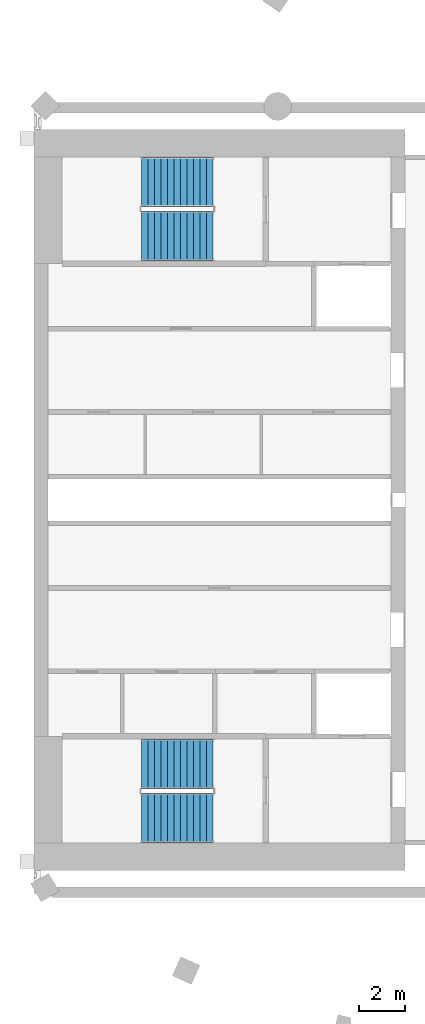
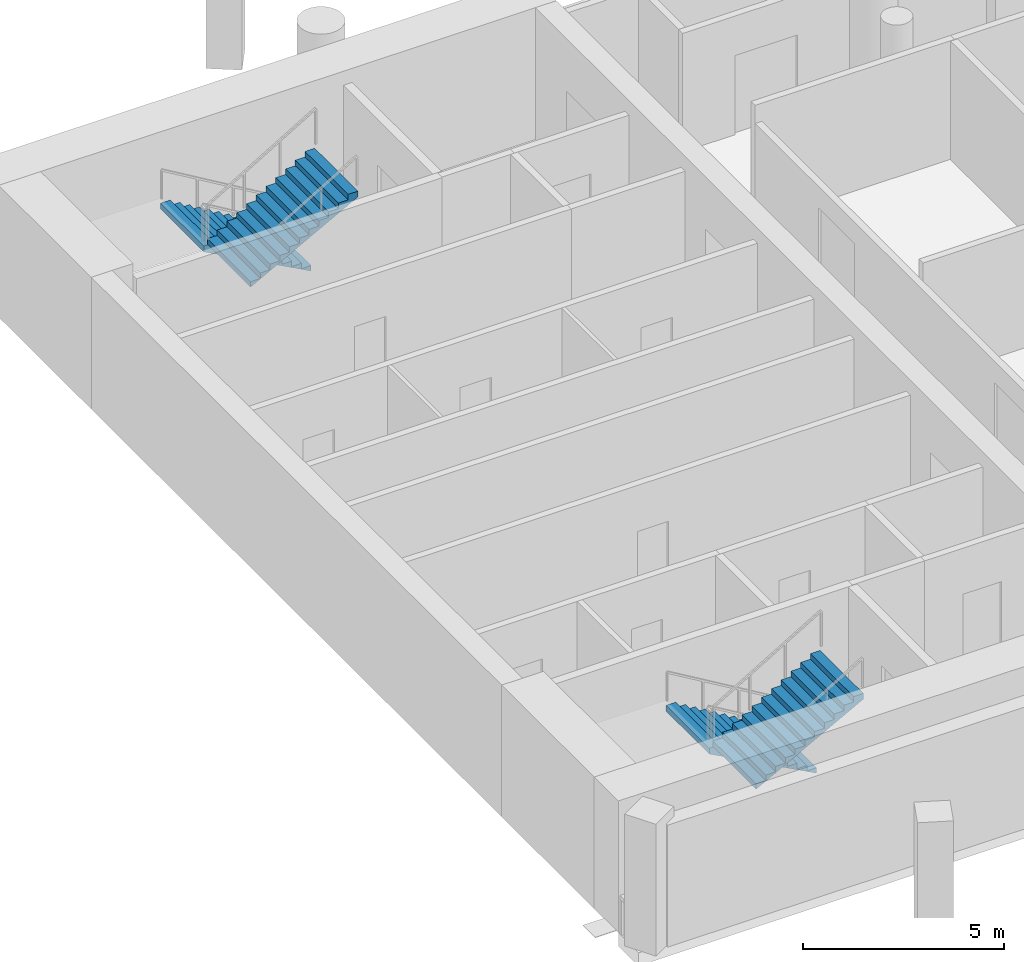
# One storey, part 4 of 8: 4 stair flights, 2 elements without a shape of their own.
"""IFC4 building model written with IfcOpenShell, lengths in metres."""

from ifc_helpers import new_model, si_unit, direction, frame, origin, place, context, subcontext, project, spatial, triangles, material, type_object, element, aggregate, save


model = new_model("IFC4")

# Units and contexts
model_context = context("Model", 3, precision=1e-05, world=origin(), true_north=direction((0.0, 1.0)))
body_context = subcontext(model_context, "Body", "Model", "MODEL_VIEW")
ifc_project = project(units=[si_unit("LENGTHUNIT", "METRE"), si_unit("AREAUNIT", "SQUARE_METRE"), si_unit("VOLUMEUNIT", "CUBIC_METRE"), si_unit("PLANEANGLEUNIT", "RADIAN"), si_unit("MASSUNIT", "GRAM", prefix="KILO")], contexts=[model_context])

# Site, building, storey
site_placement = place(None, origin())
site = spatial("IfcSite", under=ifc_project, at=site_placement, CompositionType="ELEMENT")
building_placement = place(site_placement, origin())
building = spatial("IfcBuilding", under=site, at=building_placement, Name="Cypress Arch Tower", CompositionType="ELEMENT")
storey_placement = place(building_placement, frame((0.0, 0.0, 339.0)))
storey = spatial("IfcBuildingStorey", under=building, at=storey_placement, Name="L77", CompositionType="ELEMENT", Elevation=339.0)

# Stair, stair flights
ifc_material_1 = material(Name="Concrete C40/50", Category="concrete")
stair_type = type_object("IfcStairType", Name="Exit stair ES1667-215", PredefinedType="HALF_TURN_STAIR", material=ifc_material_1)
stair_1_placement = place(storey_placement, origin())
stair_1 = element("IfcStair", 1, at=stair_1_placement, inside=storey, type_object=stair_type, Name="L77 Exit stair A", PredefinedType="HALF_TURN_STAIR")
ifc_material_2 = material(Name="Concrete C40/50", Category="concrete")
stair_flight_type = type_object("IfcStairFlightType", Name="Exit stair flight ES1667-215", PredefinedType="STRAIGHT", material=ifc_material_2)
stair_flight_1_placement = place(storey_placement, frame((-22.27490234375, -11.39990234375, 0.0), z_axis=(0.0, 0.0, 1.0), x_axis=(-1.0, 0.0, 0.0)))
stair_flight_1 = element("IfcStairFlight", 2, at=stair_flight_1_placement, type_object=stair_flight_type, Name="A flight 1", NumberOfRisers=12, NumberOfTreads=11, PredefinedType="STRAIGHT", RiserHeight=0.166666667, TreadLength=0.28, context=body_context, shape_type="Tessellation", body=[
    triangles([(0.0, -1.074951171875, 0.0), (0.000244140625, -1.074951171875, 0.0185546875), (0.000244140625, -1.074951171875, 0.037109375), (0.00048828125, -1.074951171875, 0.0556640625), (0.00048828125, -1.074951171875, 0.07421875), (0.00048828125, -1.074951171875, 0.092529296875), (0.00048828125, -1.074951171875, 0.111083984375), (0.000244140625, -1.074951171875, 0.129638671875), (0.000244140625, -1.074951171875, 0.148193359375), (0.0, -1.074951171875, 0.166748046875), (0.280029296875, -1.074951171875, 0.166748046875), (0.280029296875, -1.074951171875, 0.333251953125), (0.56005859375, -1.074951171875, 0.333251953125), (0.56005859375, -1.074951171875, 0.5), (0.840087890625, -1.074951171875, 0.5), (0.840087890625, -1.074951171875, 0.666748046875), (1.1201171875, -1.074951171875, 0.666748046875), (1.1201171875, -1.074951171875, 0.833251953125), (1.39990234375, -1.074951171875, 0.833251953125), (1.39990234375, -1.074951171875, 1.0), (1.679931640625, -1.074951171875, 1.0), (1.679931640625, -1.074951171875, 1.166748046875), (1.9599609375, -1.074951171875, 1.166748046875), (1.9599609375, -1.074951171875, 1.333251953125), (2.239990234375, -1.074951171875, 1.333251953125), (2.239990234375, -1.074951171875, 1.5), (2.52001953125, -1.074951171875, 1.5), (2.52001953125, -1.074951171875, 1.666748046875), (2.800048828125, -1.074951171875, 1.666748046875), (2.800048828125, -1.074951171875, 1.833251953125), (3.080078125, -1.074951171875, 1.833251953125), (3.079833984375, -1.074951171875, 1.81396484375), (3.079833984375, -1.074951171875, 1.79443359375), (3.07958984375, -1.074951171875, 1.775146484375), (3.07958984375, -1.074951171875, 1.755859375), (3.07958984375, -1.074951171875, 1.736328125), (3.07958984375, -1.074951171875, 1.717041015625), (3.079833984375, -1.074951171875, 1.69775390625), (3.079833984375, -1.074951171875, 1.67822265625), (3.080078125, -1.074951171875, 1.658935546875), (3.080078125, 1.074951171875, 1.658935546875), (3.079833984375, 1.074951171875, 1.67822265625), (3.079833984375, 1.074951171875, 1.69775390625), (3.07958984375, 1.074951171875, 1.717041015625), (3.07958984375, 1.074951171875, 1.736328125), (3.07958984375, 1.074951171875, 1.755859375), (3.07958984375, 1.074951171875, 1.775146484375), (3.079833984375, 1.074951171875, 1.79443359375), (3.079833984375, 1.074951171875, 1.81396484375), (3.080078125, 1.074951171875, 1.833251953125), (2.800048828125, 1.074951171875, 1.833251953125), (2.800048828125, 1.074951171875, 1.666748046875), (2.52001953125, 1.074951171875, 1.666748046875), (2.52001953125, 1.074951171875, 1.5), (2.239990234375, 1.074951171875, 1.5), (2.239990234375, 1.074951171875, 1.333251953125), (1.9599609375, 1.074951171875, 1.333251953125), (1.9599609375, 1.074951171875, 1.166748046875), (1.679931640625, 1.074951171875, 1.166748046875), (1.679931640625, 1.074951171875, 1.0), (1.39990234375, 1.074951171875, 1.0), (1.39990234375, 1.074951171875, 0.833251953125), (1.1201171875, 1.074951171875, 0.833251953125), (1.1201171875, 1.074951171875, 0.666748046875), (0.840087890625, 1.074951171875, 0.666748046875), (0.840087890625, 1.074951171875, 0.5), (0.56005859375, 1.074951171875, 0.5), (0.56005859375, 1.074951171875, 0.333251953125), (0.280029296875, 1.074951171875, 0.333251953125), (0.280029296875, 1.074951171875, 0.166748046875), (0.0, 1.074951171875, 0.166748046875), (0.000244140625, 1.074951171875, 0.148193359375), (0.000244140625, 1.074951171875, 0.129638671875), (0.00048828125, 1.074951171875, 0.111083984375), (0.00048828125, 1.074951171875, 0.092529296875), (0.00048828125, 1.074951171875, 0.07421875), (0.00048828125, 1.074951171875, 0.0556640625), (0.000244140625, 1.074951171875, 0.037109375), (0.000244140625, 1.074951171875, 0.0185546875), (0.0, 1.074951171875, 0.0)], [[40, 39, 30], [39, 38, 30], [38, 37, 30], [37, 36, 30], [36, 35, 30], [35, 34, 30], [34, 33, 30], [33, 32, 30], [32, 31, 30], [29, 28, 27], [27, 26, 25], [23, 22, 21], [21, 20, 19], [17, 16, 15], [15, 14, 13], [10, 9, 11], [9, 8, 11], [8, 7, 11], [7, 6, 11], [6, 5, 11], [5, 4, 11], [4, 3, 11], [3, 2, 11], [2, 1, 11], [19, 18, 17], [25, 24, 23], [13, 12, 11], [40, 30, 29], [40, 29, 27], [40, 27, 25], [40, 25, 23], [40, 23, 21], [40, 21, 19], [40, 19, 17], [40, 17, 15], [40, 15, 13], [1, 40, 13], [13, 11, 1], [41, 51, 42], [42, 51, 43], [43, 51, 44], [44, 51, 45], [45, 51, 46], [46, 51, 47], [47, 51, 48], [48, 51, 49], [49, 51, 50], [52, 54, 53], [54, 56, 55], [58, 60, 59], [60, 62, 61], [64, 66, 65], [66, 68, 67], [71, 70, 72], [72, 70, 73], [73, 70, 74], [74, 70, 75], [75, 70, 76], [76, 70, 77], [77, 70, 78], [78, 70, 79], [79, 70, 80], [62, 64, 63], [56, 58, 57], [68, 70, 69], [41, 52, 51], [41, 54, 52], [41, 56, 54], [41, 58, 56], [41, 60, 58], [41, 62, 60], [41, 64, 62], [41, 66, 64], [41, 68, 66], [80, 68, 41], [68, 80, 70], [41, 42, 39], [41, 39, 40], [42, 43, 38], [42, 38, 39], [43, 44, 37], [43, 37, 38], [44, 45, 36], [44, 36, 37], [45, 46, 35], [45, 35, 36], [46, 47, 34], [46, 34, 35], [47, 48, 33], [47, 33, 34], [48, 49, 32], [48, 32, 33], [49, 50, 31], [49, 31, 32], [50, 51, 30], [50, 30, 31], [51, 52, 29], [51, 29, 30], [52, 53, 28], [52, 28, 29], [53, 54, 27], [53, 27, 28], [54, 55, 26], [54, 26, 27], [55, 56, 25], [55, 25, 26], [56, 57, 24], [56, 24, 25], [57, 58, 23], [57, 23, 24], [58, 59, 22], [58, 22, 23], [59, 60, 21], [59, 21, 22], [60, 61, 20], [60, 20, 21], [61, 62, 19], [61, 19, 20], [62, 63, 18], [62, 18, 19], [63, 64, 17], [63, 17, 18], [64, 65, 16], [64, 16, 17], [65, 66, 15], [65, 15, 16], [66, 67, 14], [66, 14, 15], [67, 68, 13], [67, 13, 14], [68, 69, 12], [68, 12, 13], [69, 70, 11], [69, 11, 12], [70, 71, 10], [70, 10, 11], [71, 72, 9], [71, 9, 10], [72, 73, 8], [72, 8, 9], [73, 74, 7], [73, 7, 8], [74, 75, 6], [74, 6, 7], [75, 76, 5], [75, 5, 6], [76, 77, 4], [76, 4, 5], [77, 78, 3], [77, 3, 4], [78, 79, 2], [78, 2, 3], [79, 80, 1], [79, 1, 2], [80, 41, 40], [80, 40, 1]], closed=True),
])
stair_flight_2_placement = place(storey_placement, frame((-25.35498046875, -13.72509765625, 2.0), z_axis=(0.0, 0.0, 1.0), x_axis=(1.0, 0.0, 0.0)))
stair_flight_2 = element("IfcStairFlight", 3, at=stair_flight_2_placement, type_object=stair_flight_type, Name="A flight 2", NumberOfRisers=12, NumberOfTreads=11, PredefinedType="STRAIGHT", RiserHeight=0.166666667, TreadLength=0.28, context=body_context, shape_type="Tessellation", body=[
    triangles([(0.0, -1.074951171875, 0.0), (0.000244140625, -1.074951171875, 0.0185546875), (0.000244140625, -1.074951171875, 0.037109375), (0.00048828125, -1.074951171875, 0.0556640625), (0.00048828125, -1.074951171875, 0.07421875), (0.00048828125, -1.074951171875, 0.092529296875), (0.00048828125, -1.074951171875, 0.111083984375), (0.000244140625, -1.074951171875, 0.129638671875), (0.000244140625, -1.074951171875, 0.148193359375), (0.0, -1.074951171875, 0.166748046875), (0.280029296875, -1.074951171875, 0.166748046875), (0.280029296875, -1.074951171875, 0.333251953125), (0.56005859375, -1.074951171875, 0.333251953125), (0.56005859375, -1.074951171875, 0.5), (0.840087890625, -1.074951171875, 0.5), (0.840087890625, -1.074951171875, 0.666748046875), (1.1201171875, -1.074951171875, 0.666748046875), (1.1201171875, -1.074951171875, 0.833251953125), (1.39990234375, -1.074951171875, 0.833251953125), (1.39990234375, -1.074951171875, 1.0), (1.679931640625, -1.074951171875, 1.0), (1.679931640625, -1.074951171875, 1.166748046875), (1.9599609375, -1.074951171875, 1.166748046875), (1.9599609375, -1.074951171875, 1.333251953125), (2.239990234375, -1.074951171875, 1.333251953125), (2.239990234375, -1.074951171875, 1.5), (2.52001953125, -1.074951171875, 1.5), (2.52001953125, -1.074951171875, 1.666748046875), (2.800048828125, -1.074951171875, 1.666748046875), (2.800048828125, -1.074951171875, 1.833251953125), (3.080078125, -1.074951171875, 1.833251953125), (3.079833984375, -1.074951171875, 1.81396484375), (3.079833984375, -1.074951171875, 1.79443359375), (3.07958984375, -1.074951171875, 1.775146484375), (3.07958984375, -1.074951171875, 1.755859375), (3.07958984375, -1.074951171875, 1.736328125), (3.07958984375, -1.074951171875, 1.717041015625), (3.079833984375, -1.074951171875, 1.69775390625), (3.079833984375, -1.074951171875, 1.67822265625), (3.080078125, -1.074951171875, 1.658935546875), (3.080078125, 1.074951171875, 1.658935546875), (3.079833984375, 1.074951171875, 1.67822265625), (3.079833984375, 1.074951171875, 1.69775390625), (3.07958984375, 1.074951171875, 1.717041015625), (3.07958984375, 1.074951171875, 1.736328125), (3.07958984375, 1.074951171875, 1.755859375), (3.07958984375, 1.074951171875, 1.775146484375), (3.079833984375, 1.074951171875, 1.79443359375), (3.079833984375, 1.074951171875, 1.81396484375), (3.080078125, 1.074951171875, 1.833251953125), (2.800048828125, 1.074951171875, 1.833251953125), (2.800048828125, 1.074951171875, 1.666748046875), (2.52001953125, 1.074951171875, 1.666748046875), (2.52001953125, 1.074951171875, 1.5), (2.239990234375, 1.074951171875, 1.5), (2.239990234375, 1.074951171875, 1.333251953125), (1.9599609375, 1.074951171875, 1.333251953125), (1.9599609375, 1.074951171875, 1.166748046875), (1.679931640625, 1.074951171875, 1.166748046875), (1.679931640625, 1.074951171875, 1.0), (1.39990234375, 1.074951171875, 1.0), (1.39990234375, 1.074951171875, 0.833251953125), (1.1201171875, 1.074951171875, 0.833251953125), (1.1201171875, 1.074951171875, 0.666748046875), (0.840087890625, 1.074951171875, 0.666748046875), (0.840087890625, 1.074951171875, 0.5), (0.56005859375, 1.074951171875, 0.5), (0.56005859375, 1.074951171875, 0.333251953125), (0.280029296875, 1.074951171875, 0.333251953125), (0.280029296875, 1.074951171875, 0.166748046875), (0.0, 1.074951171875, 0.166748046875), (0.000244140625, 1.074951171875, 0.148193359375), (0.000244140625, 1.074951171875, 0.129638671875), (0.00048828125, 1.074951171875, 0.111083984375), (0.00048828125, 1.074951171875, 0.092529296875), (0.00048828125, 1.074951171875, 0.07421875), (0.00048828125, 1.074951171875, 0.0556640625), (0.000244140625, 1.074951171875, 0.037109375), (0.000244140625, 1.074951171875, 0.0185546875), (0.0, 1.074951171875, 0.0)], [[40, 39, 30], [39, 38, 30], [38, 37, 30], [37, 36, 30], [36, 35, 30], [35, 34, 30], [34, 33, 30], [33, 32, 30], [32, 31, 30], [29, 28, 27], [27, 26, 25], [23, 22, 21], [21, 20, 19], [17, 16, 15], [15, 14, 13], [10, 9, 11], [9, 8, 11], [8, 7, 11], [7, 6, 11], [6, 5, 11], [5, 4, 11], [4, 3, 11], [3, 2, 11], [2, 1, 11], [19, 18, 17], [25, 24, 23], [13, 12, 11], [40, 30, 29], [40, 29, 27], [40, 27, 25], [40, 25, 23], [40, 23, 21], [40, 21, 19], [40, 19, 17], [40, 17, 15], [40, 15, 13], [1, 40, 13], [13, 11, 1], [41, 51, 42], [42, 51, 43], [43, 51, 44], [44, 51, 45], [45, 51, 46], [46, 51, 47], [47, 51, 48], [48, 51, 49], [49, 51, 50], [52, 54, 53], [54, 56, 55], [58, 60, 59], [60, 62, 61], [64, 66, 65], [66, 68, 67], [71, 70, 72], [72, 70, 73], [73, 70, 74], [74, 70, 75], [75, 70, 76], [76, 70, 77], [77, 70, 78], [78, 70, 79], [79, 70, 80], [62, 64, 63], [56, 58, 57], [68, 70, 69], [41, 52, 51], [41, 54, 52], [41, 56, 54], [41, 58, 56], [41, 60, 58], [41, 62, 60], [41, 64, 62], [41, 66, 64], [41, 68, 66], [80, 68, 41], [68, 80, 70], [41, 42, 39], [41, 39, 40], [42, 43, 38], [42, 38, 39], [43, 44, 37], [43, 37, 38], [44, 45, 36], [44, 36, 37], [45, 46, 35], [45, 35, 36], [46, 47, 34], [46, 34, 35], [47, 48, 33], [47, 33, 34], [48, 49, 32], [48, 32, 33], [49, 50, 31], [49, 31, 32], [50, 51, 30], [50, 30, 31], [51, 52, 29], [51, 29, 30], [52, 53, 28], [52, 28, 29], [53, 54, 27], [53, 27, 28], [54, 55, 26], [54, 26, 27], [55, 56, 25], [55, 25, 26], [56, 57, 24], [56, 24, 25], [57, 58, 23], [57, 23, 24], [58, 59, 22], [58, 22, 23], [59, 60, 21], [59, 21, 22], [60, 61, 20], [60, 20, 21], [61, 62, 19], [61, 19, 20], [62, 63, 18], [62, 18, 19], [63, 64, 17], [63, 17, 18], [64, 65, 16], [64, 16, 17], [65, 66, 15], [65, 15, 16], [66, 67, 14], [66, 14, 15], [67, 68, 13], [67, 13, 14], [68, 69, 12], [68, 12, 13], [69, 70, 11], [69, 11, 12], [70, 71, 10], [70, 10, 11], [71, 72, 9], [71, 9, 10], [72, 73, 8], [72, 8, 9], [73, 74, 7], [73, 7, 8], [74, 75, 6], [74, 6, 7], [75, 76, 5], [75, 5, 6], [76, 77, 4], [76, 4, 5], [77, 78, 3], [77, 3, 4], [78, 79, 2], [78, 2, 3], [79, 80, 1], [79, 1, 2], [80, 41, 40], [80, 40, 1]], closed=True),
])
aggregate(stair_1, [stair_flight_1, stair_flight_2])

stair_2_placement = place(storey_placement, origin())
stair_2 = element("IfcStair", 4, at=stair_2_placement, inside=storey, type_object=stair_type, Name="L77 Exit stair B", PredefinedType="HALF_TURN_STAIR")
stair_flight_3_placement = place(storey_placement, frame((-22.27490234375, 13.72509765625, 0.0), z_axis=(0.0, 0.0, 1.0), x_axis=(-1.0, 0.0, 0.0)))
stair_flight_3 = element("IfcStairFlight", 5, at=stair_flight_3_placement, type_object=stair_flight_type, Name="B flight 1", NumberOfRisers=12, NumberOfTreads=11, PredefinedType="STRAIGHT", RiserHeight=0.166666667, TreadLength=0.28, context=body_context, shape_type="Tessellation", body=[
    triangles([(0.0, -1.074951171875, 0.0), (0.000244140625, -1.074951171875, 0.0185546875), (0.000244140625, -1.074951171875, 0.037109375), (0.00048828125, -1.074951171875, 0.0556640625), (0.00048828125, -1.074951171875, 0.07421875), (0.00048828125, -1.074951171875, 0.092529296875), (0.00048828125, -1.074951171875, 0.111083984375), (0.000244140625, -1.074951171875, 0.129638671875), (0.000244140625, -1.074951171875, 0.148193359375), (0.0, -1.074951171875, 0.166748046875), (0.280029296875, -1.074951171875, 0.166748046875), (0.280029296875, -1.074951171875, 0.333251953125), (0.56005859375, -1.074951171875, 0.333251953125), (0.56005859375, -1.074951171875, 0.5), (0.840087890625, -1.074951171875, 0.5), (0.840087890625, -1.074951171875, 0.666748046875), (1.1201171875, -1.074951171875, 0.666748046875), (1.1201171875, -1.074951171875, 0.833251953125), (1.39990234375, -1.074951171875, 0.833251953125), (1.39990234375, -1.074951171875, 1.0), (1.679931640625, -1.074951171875, 1.0), (1.679931640625, -1.074951171875, 1.166748046875), (1.9599609375, -1.074951171875, 1.166748046875), (1.9599609375, -1.074951171875, 1.333251953125), (2.239990234375, -1.074951171875, 1.333251953125), (2.239990234375, -1.074951171875, 1.5), (2.52001953125, -1.074951171875, 1.5), (2.52001953125, -1.074951171875, 1.666748046875), (2.800048828125, -1.074951171875, 1.666748046875), (2.800048828125, -1.074951171875, 1.833251953125), (3.080078125, -1.074951171875, 1.833251953125), (3.079833984375, -1.074951171875, 1.81396484375), (3.079833984375, -1.074951171875, 1.79443359375), (3.07958984375, -1.074951171875, 1.775146484375), (3.07958984375, -1.074951171875, 1.755859375), (3.07958984375, -1.074951171875, 1.736328125), (3.07958984375, -1.074951171875, 1.717041015625), (3.079833984375, -1.074951171875, 1.69775390625), (3.079833984375, -1.074951171875, 1.67822265625), (3.080078125, -1.074951171875, 1.658935546875), (3.080078125, 1.074951171875, 1.658935546875), (3.079833984375, 1.074951171875, 1.67822265625), (3.079833984375, 1.074951171875, 1.69775390625), (3.07958984375, 1.074951171875, 1.717041015625), (3.07958984375, 1.074951171875, 1.736328125), (3.07958984375, 1.074951171875, 1.755859375), (3.07958984375, 1.074951171875, 1.775146484375), (3.079833984375, 1.074951171875, 1.79443359375), (3.079833984375, 1.074951171875, 1.81396484375), (3.080078125, 1.074951171875, 1.833251953125), (2.800048828125, 1.074951171875, 1.833251953125), (2.800048828125, 1.074951171875, 1.666748046875), (2.52001953125, 1.074951171875, 1.666748046875), (2.52001953125, 1.074951171875, 1.5), (2.239990234375, 1.074951171875, 1.5), (2.239990234375, 1.074951171875, 1.333251953125), (1.9599609375, 1.074951171875, 1.333251953125), (1.9599609375, 1.074951171875, 1.166748046875), (1.679931640625, 1.074951171875, 1.166748046875), (1.679931640625, 1.074951171875, 1.0), (1.39990234375, 1.074951171875, 1.0), (1.39990234375, 1.074951171875, 0.833251953125), (1.1201171875, 1.074951171875, 0.833251953125), (1.1201171875, 1.074951171875, 0.666748046875), (0.840087890625, 1.074951171875, 0.666748046875), (0.840087890625, 1.074951171875, 0.5), (0.56005859375, 1.074951171875, 0.5), (0.56005859375, 1.074951171875, 0.333251953125), (0.280029296875, 1.074951171875, 0.333251953125), (0.280029296875, 1.074951171875, 0.166748046875), (0.0, 1.074951171875, 0.166748046875), (0.000244140625, 1.074951171875, 0.148193359375), (0.000244140625, 1.074951171875, 0.129638671875), (0.00048828125, 1.074951171875, 0.111083984375), (0.00048828125, 1.074951171875, 0.092529296875), (0.00048828125, 1.074951171875, 0.07421875), (0.00048828125, 1.074951171875, 0.0556640625), (0.000244140625, 1.074951171875, 0.037109375), (0.000244140625, 1.074951171875, 0.0185546875), (0.0, 1.074951171875, 0.0)], [[40, 39, 30], [39, 38, 30], [38, 37, 30], [37, 36, 30], [36, 35, 30], [35, 34, 30], [34, 33, 30], [33, 32, 30], [32, 31, 30], [29, 28, 27], [27, 26, 25], [23, 22, 21], [21, 20, 19], [17, 16, 15], [15, 14, 13], [10, 9, 11], [9, 8, 11], [8, 7, 11], [7, 6, 11], [6, 5, 11], [5, 4, 11], [4, 3, 11], [3, 2, 11], [2, 1, 11], [19, 18, 17], [25, 24, 23], [13, 12, 11], [40, 30, 29], [40, 29, 27], [40, 27, 25], [40, 25, 23], [40, 23, 21], [40, 21, 19], [40, 19, 17], [40, 17, 15], [40, 15, 13], [1, 40, 13], [13, 11, 1], [41, 51, 42], [42, 51, 43], [43, 51, 44], [44, 51, 45], [45, 51, 46], [46, 51, 47], [47, 51, 48], [48, 51, 49], [49, 51, 50], [52, 54, 53], [54, 56, 55], [58, 60, 59], [60, 62, 61], [64, 66, 65], [66, 68, 67], [71, 70, 72], [72, 70, 73], [73, 70, 74], [74, 70, 75], [75, 70, 76], [76, 70, 77], [77, 70, 78], [78, 70, 79], [79, 70, 80], [62, 64, 63], [56, 58, 57], [68, 70, 69], [41, 52, 51], [41, 54, 52], [41, 56, 54], [41, 58, 56], [41, 60, 58], [41, 62, 60], [41, 64, 62], [41, 66, 64], [41, 68, 66], [80, 68, 41], [68, 80, 70], [41, 42, 39], [41, 39, 40], [42, 43, 38], [42, 38, 39], [43, 44, 37], [43, 37, 38], [44, 45, 36], [44, 36, 37], [45, 46, 35], [45, 35, 36], [46, 47, 34], [46, 34, 35], [47, 48, 33], [47, 33, 34], [48, 49, 32], [48, 32, 33], [49, 50, 31], [49, 31, 32], [50, 51, 30], [50, 30, 31], [51, 52, 29], [51, 29, 30], [52, 53, 28], [52, 28, 29], [53, 54, 27], [53, 27, 28], [54, 55, 26], [54, 26, 27], [55, 56, 25], [55, 25, 26], [56, 57, 24], [56, 24, 25], [57, 58, 23], [57, 23, 24], [58, 59, 22], [58, 22, 23], [59, 60, 21], [59, 21, 22], [60, 61, 20], [60, 20, 21], [61, 62, 19], [61, 19, 20], [62, 63, 18], [62, 18, 19], [63, 64, 17], [63, 17, 18], [64, 65, 16], [64, 16, 17], [65, 66, 15], [65, 15, 16], [66, 67, 14], [66, 14, 15], [67, 68, 13], [67, 13, 14], [68, 69, 12], [68, 12, 13], [69, 70, 11], [69, 11, 12], [70, 71, 10], [70, 10, 11], [71, 72, 9], [71, 9, 10], [72, 73, 8], [72, 8, 9], [73, 74, 7], [73, 7, 8], [74, 75, 6], [74, 6, 7], [75, 76, 5], [75, 5, 6], [76, 77, 4], [76, 4, 5], [77, 78, 3], [77, 3, 4], [78, 79, 2], [78, 2, 3], [79, 80, 1], [79, 1, 2], [80, 41, 40], [80, 40, 1]], closed=True),
])
stair_flight_4_placement = place(storey_placement, frame((-25.35498046875, 11.39990234375, 2.0), z_axis=(0.0, 0.0, 1.0), x_axis=(1.0, 0.0, 0.0)))
stair_flight_4 = element("IfcStairFlight", 6, at=stair_flight_4_placement, type_object=stair_flight_type, Name="B flight 2", NumberOfRisers=12, NumberOfTreads=11, PredefinedType="STRAIGHT", RiserHeight=0.166666667, TreadLength=0.28, context=body_context, shape_type="Tessellation", body=[
    triangles([(0.0, -1.074951171875, 0.0), (0.000244140625, -1.074951171875, 0.0185546875), (0.000244140625, -1.074951171875, 0.037109375), (0.00048828125, -1.074951171875, 0.0556640625), (0.00048828125, -1.074951171875, 0.07421875), (0.00048828125, -1.074951171875, 0.092529296875), (0.00048828125, -1.074951171875, 0.111083984375), (0.000244140625, -1.074951171875, 0.129638671875), (0.000244140625, -1.074951171875, 0.148193359375), (0.0, -1.074951171875, 0.166748046875), (0.280029296875, -1.074951171875, 0.166748046875), (0.280029296875, -1.074951171875, 0.333251953125), (0.56005859375, -1.074951171875, 0.333251953125), (0.56005859375, -1.074951171875, 0.5), (0.840087890625, -1.074951171875, 0.5), (0.840087890625, -1.074951171875, 0.666748046875), (1.1201171875, -1.074951171875, 0.666748046875), (1.1201171875, -1.074951171875, 0.833251953125), (1.39990234375, -1.074951171875, 0.833251953125), (1.39990234375, -1.074951171875, 1.0), (1.679931640625, -1.074951171875, 1.0), (1.679931640625, -1.074951171875, 1.166748046875), (1.9599609375, -1.074951171875, 1.166748046875), (1.9599609375, -1.074951171875, 1.333251953125), (2.239990234375, -1.074951171875, 1.333251953125), (2.239990234375, -1.074951171875, 1.5), (2.52001953125, -1.074951171875, 1.5), (2.52001953125, -1.074951171875, 1.666748046875), (2.800048828125, -1.074951171875, 1.666748046875), (2.800048828125, -1.074951171875, 1.833251953125), (3.080078125, -1.074951171875, 1.833251953125), (3.079833984375, -1.074951171875, 1.81396484375), (3.079833984375, -1.074951171875, 1.79443359375), (3.07958984375, -1.074951171875, 1.775146484375), (3.07958984375, -1.074951171875, 1.755859375), (3.07958984375, -1.074951171875, 1.736328125), (3.07958984375, -1.074951171875, 1.717041015625), (3.079833984375, -1.074951171875, 1.69775390625), (3.079833984375, -1.074951171875, 1.67822265625), (3.080078125, -1.074951171875, 1.658935546875), (3.080078125, 1.074951171875, 1.658935546875), (3.079833984375, 1.074951171875, 1.67822265625), (3.079833984375, 1.074951171875, 1.69775390625), (3.07958984375, 1.074951171875, 1.717041015625), (3.07958984375, 1.074951171875, 1.736328125), (3.07958984375, 1.074951171875, 1.755859375), (3.07958984375, 1.074951171875, 1.775146484375), (3.079833984375, 1.074951171875, 1.79443359375), (3.079833984375, 1.074951171875, 1.81396484375), (3.080078125, 1.074951171875, 1.833251953125), (2.800048828125, 1.074951171875, 1.833251953125), (2.800048828125, 1.074951171875, 1.666748046875), (2.52001953125, 1.074951171875, 1.666748046875), (2.52001953125, 1.074951171875, 1.5), (2.239990234375, 1.074951171875, 1.5), (2.239990234375, 1.074951171875, 1.333251953125), (1.9599609375, 1.074951171875, 1.333251953125), (1.9599609375, 1.074951171875, 1.166748046875), (1.679931640625, 1.074951171875, 1.166748046875), (1.679931640625, 1.074951171875, 1.0), (1.39990234375, 1.074951171875, 1.0), (1.39990234375, 1.074951171875, 0.833251953125), (1.1201171875, 1.074951171875, 0.833251953125), (1.1201171875, 1.074951171875, 0.666748046875), (0.840087890625, 1.074951171875, 0.666748046875), (0.840087890625, 1.074951171875, 0.5), (0.56005859375, 1.074951171875, 0.5), (0.56005859375, 1.074951171875, 0.333251953125), (0.280029296875, 1.074951171875, 0.333251953125), (0.280029296875, 1.074951171875, 0.166748046875), (0.0, 1.074951171875, 0.166748046875), (0.000244140625, 1.074951171875, 0.148193359375), (0.000244140625, 1.074951171875, 0.129638671875), (0.00048828125, 1.074951171875, 0.111083984375), (0.00048828125, 1.074951171875, 0.092529296875), (0.00048828125, 1.074951171875, 0.07421875), (0.00048828125, 1.074951171875, 0.0556640625), (0.000244140625, 1.074951171875, 0.037109375), (0.000244140625, 1.074951171875, 0.0185546875), (0.0, 1.074951171875, 0.0)], [[40, 39, 30], [39, 38, 30], [38, 37, 30], [37, 36, 30], [36, 35, 30], [35, 34, 30], [34, 33, 30], [33, 32, 30], [32, 31, 30], [29, 28, 27], [27, 26, 25], [23, 22, 21], [21, 20, 19], [17, 16, 15], [15, 14, 13], [10, 9, 11], [9, 8, 11], [8, 7, 11], [7, 6, 11], [6, 5, 11], [5, 4, 11], [4, 3, 11], [3, 2, 11], [2, 1, 11], [19, 18, 17], [25, 24, 23], [13, 12, 11], [40, 30, 29], [40, 29, 27], [40, 27, 25], [40, 25, 23], [40, 23, 21], [40, 21, 19], [40, 19, 17], [40, 17, 15], [40, 15, 13], [1, 40, 13], [13, 11, 1], [41, 51, 42], [42, 51, 43], [43, 51, 44], [44, 51, 45], [45, 51, 46], [46, 51, 47], [47, 51, 48], [48, 51, 49], [49, 51, 50], [52, 54, 53], [54, 56, 55], [58, 60, 59], [60, 62, 61], [64, 66, 65], [66, 68, 67], [71, 70, 72], [72, 70, 73], [73, 70, 74], [74, 70, 75], [75, 70, 76], [76, 70, 77], [77, 70, 78], [78, 70, 79], [79, 70, 80], [62, 64, 63], [56, 58, 57], [68, 70, 69], [41, 52, 51], [41, 54, 52], [41, 56, 54], [41, 58, 56], [41, 60, 58], [41, 62, 60], [41, 64, 62], [41, 66, 64], [41, 68, 66], [80, 68, 41], [68, 80, 70], [41, 42, 39], [41, 39, 40], [42, 43, 38], [42, 38, 39], [43, 44, 37], [43, 37, 38], [44, 45, 36], [44, 36, 37], [45, 46, 35], [45, 35, 36], [46, 47, 34], [46, 34, 35], [47, 48, 33], [47, 33, 34], [48, 49, 32], [48, 32, 33], [49, 50, 31], [49, 31, 32], [50, 51, 30], [50, 30, 31], [51, 52, 29], [51, 29, 30], [52, 53, 28], [52, 28, 29], [53, 54, 27], [53, 27, 28], [54, 55, 26], [54, 26, 27], [55, 56, 25], [55, 25, 26], [56, 57, 24], [56, 24, 25], [57, 58, 23], [57, 23, 24], [58, 59, 22], [58, 22, 23], [59, 60, 21], [59, 21, 22], [60, 61, 20], [60, 20, 21], [61, 62, 19], [61, 19, 20], [62, 63, 18], [62, 18, 19], [63, 64, 17], [63, 17, 18], [64, 65, 16], [64, 16, 17], [65, 66, 15], [65, 15, 16], [66, 67, 14], [66, 14, 15], [67, 68, 13], [67, 13, 14], [68, 69, 12], [68, 12, 13], [69, 70, 11], [69, 11, 12], [70, 71, 10], [70, 10, 11], [71, 72, 9], [71, 9, 10], [72, 73, 8], [72, 8, 9], [73, 74, 7], [73, 7, 8], [74, 75, 6], [74, 6, 7], [75, 76, 5], [75, 5, 6], [76, 77, 4], [76, 4, 5], [77, 78, 3], [77, 3, 4], [78, 79, 2], [78, 2, 3], [79, 80, 1], [79, 1, 2], [80, 41, 40], [80, 40, 1]], closed=True),
])
aggregate(stair_2, [stair_flight_3, stair_flight_4])

save(model, "model.ifc")
